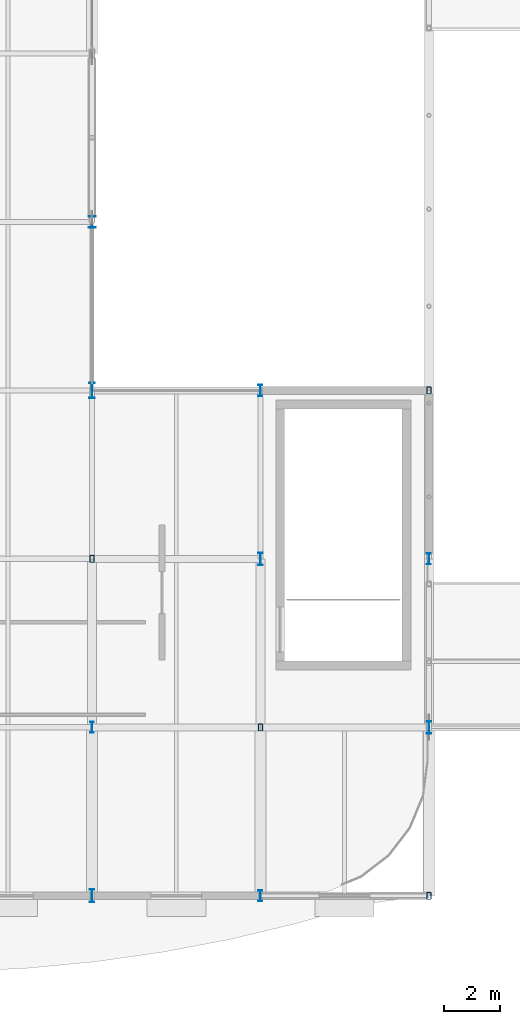
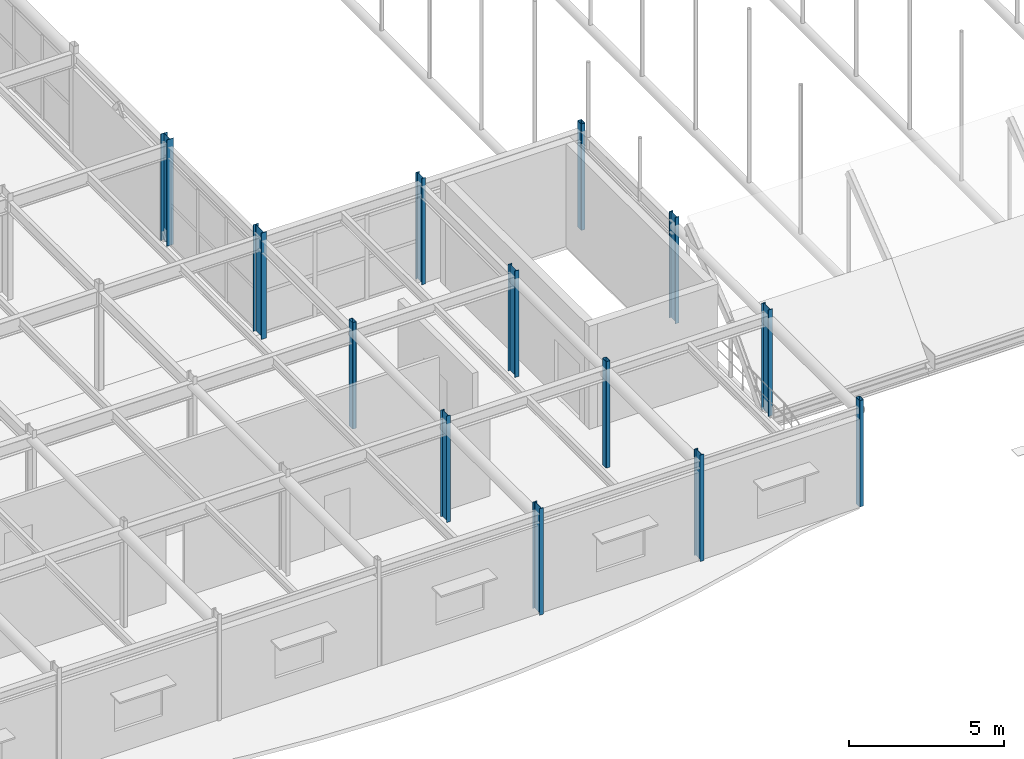
# One storey, part 3 of 116: 13 columns.
"""IFC4 building model written with IfcOpenShell, lengths in metres."""

import ifcopenshell
import ifcopenshell.guid

model = None  # the IFC model being written
_history = None  # IfcOwnerHistory: only IFC2X3 demands one
_inside = {}  # id of a spatial element -> (the spatial element, [elements in it])
_under = {}  # id of a project, library or spatial element -> (it, [spatial elements below it])
_declared = {}  # id of a project -> (the project, [libraries it declares])
_typed = {}  # id of a type object -> (the type object, [elements of that type])
_made_of = {}  # id of a material, layer set ... -> (it, [elements and type objects made of it])


def new_model(schema):
    """Start an empty IFC model of exactly this schema.

    Asked for "IFC4X3", IfcOpenShell would pick the latest addendum, in which some entities
    have other attributes; the version numbers below select the first issue.
    IFC2X3 requires an IfcOwnerHistory on every rooted entity: one is made here for all.
    """
    global model, _history
    if schema == "IFC4X3":
        model = ifcopenshell.file(schema_version=(4, 3, 0, 0))
    else:
        model = ifcopenshell.file(schema=schema)
    _inside.clear()
    _under.clear()
    _declared.clear()
    _typed.clear()
    _made_of.clear()
    _history = None
    if model.schema == "IFC2X3":
        org = make("IfcOrganization", Name="unknown")
        user = make(
            "IfcPersonAndOrganization",
            ThePerson=make("IfcPerson", FamilyName="unknown"),
            TheOrganization=org,
        )
        app = make(
            "IfcApplication",
            ApplicationDeveloper=org,
            Version="unknown",
            ApplicationFullName="unknown",
            ApplicationIdentifier="unknown",
        )
        _history = make(
            "IfcOwnerHistory",
            OwningUser=user,
            OwningApplication=app,
            ChangeAction="ADDED",
            CreationDate=0,
        )
    return model


def make(cls, **values):
    """One entity of the class cls with the attributes given. An attribute that is None is left unset."""
    return model.create_entity(
        cls, **{name: value for name, value in values.items() if value is not None}
    )


def rooted(cls, **values):
    """An entity with a GlobalId (a new one), such as an element, a storey or a relation."""
    return make(cls, GlobalId=ifcopenshell.guid.new(), OwnerHistory=_history, **values)


def si_unit(unit_type, name, prefix=None):
    """IfcSIUnit, for example si_unit("LENGTHUNIT", "METRE", prefix="MILLI")."""
    return make("IfcSIUnit", UnitType=unit_type, Prefix=prefix, Name=name)


def assignment(units):
    """IfcUnitAssignment: the units of a project."""
    return None if units is None else make("IfcUnitAssignment", Units=units)


def point(xyz):
    """IfcCartesianPoint."""
    return None if xyz is None else make("IfcCartesianPoint", Coordinates=xyz)


def direction(xyz):
    """IfcDirection."""
    return None if xyz is None else make("IfcDirection", DirectionRatios=xyz)


def frame(location, z_axis=None, x_axis=None):
    """IfcAxis2Placement3D, a coordinate frame: its origin and axes. An axis left out is left unset."""
    return make(
        "IfcAxis2Placement3D",
        Location=point(location),
        Axis=direction(z_axis),
        RefDirection=direction(x_axis),
    )


def frame_2d(location, x_axis=None):
    """IfcAxis2Placement2D, a coordinate frame in the plane: its origin and x axis."""
    return make(
        "IfcAxis2Placement2D", Location=point(location), RefDirection=direction(x_axis)
    )


def origin():
    """The frame at (0, 0, 0) with its axes left unset."""
    return frame((0.0, 0.0, 0.0))


def origin_2d():
    """The frame at (0, 0) in the plane with its x axis left unset."""
    return frame_2d((0.0, 0.0))


def place(relative_to, where):
    """IfcLocalPlacement: puts the frame where relative to a parent placement (None: the world)."""
    return make(
        "IfcLocalPlacement", PlacementRelTo=relative_to, RelativePlacement=where
    )


def context(
    kind, dimensions, precision=None, world=None, true_north=None, identifier=None
):
    """IfcGeometricRepresentationContext, for example the 3D "Model" context."""
    return make(
        "IfcGeometricRepresentationContext",
        ContextIdentifier=identifier,
        ContextType=kind,
        CoordinateSpaceDimension=dimensions,
        Precision=precision,
        WorldCoordinateSystem=world,
        TrueNorth=true_north,
    )


def subcontext(parent, identifier, kind, view, scale=None):
    """IfcGeometricRepresentationSubContext, for example "Body" below "Model"."""
    return make(
        "IfcGeometricRepresentationSubContext",
        ContextIdentifier=identifier,
        ContextType=kind,
        ParentContext=parent,
        TargetScale=scale,
        TargetView=view,
    )


def project(units=None, contexts=None):
    """IfcProject with its units and contexts."""
    return rooted(
        "IfcProject",
        Name="project",
        RepresentationContexts=contexts,
        UnitsInContext=assignment(units),
    )


def spatial(cls, under=None, at=None, **own):
    """A site, building, storey or space (cls), placed at a placement, below another one or the project."""
    s = rooted(cls, ObjectPlacement=at, **own)
    if under is not None:
        _under.setdefault(under.id(), (under, []))[1].append(s)
    return s


def profile(cls, at=None, kind="AREA", **sizes):
    """A parametric profile (cls). Its sizes go by their IFC names, for example OverallWidth=200.0."""
    return make(cls, ProfileType=kind, Position=at, **sizes)


def hollow_rectangle(**sizes):
    """IfcRectangleHollowProfileDef."""
    return profile("IfcRectangleHollowProfileDef", **sizes)


def i_section(**sizes):
    """IfcIShapeProfileDef."""
    return profile("IfcIShapeProfileDef", **sizes)


def extrude(swept, where, along, depth):
    """IfcExtrudedAreaSolid: the profile swept, set in the frame where, extruded along a direction by depth."""
    return make(
        "IfcExtrudedAreaSolid",
        SweptArea=swept,
        Position=where,
        ExtrudedDirection=direction(along),
        Depth=depth,
    )


def shape(context_of_items, identifier, shape_type, items):
    """IfcShapeRepresentation: the items that make up one representation, for example the "Body"."""
    return make(
        "IfcShapeRepresentation",
        ContextOfItems=context_of_items,
        RepresentationIdentifier=identifier,
        RepresentationType=shape_type,
        Items=items,
    )


def material(Name=None, Category=None):
    """IfcMaterial."""
    return make("IfcMaterial", Name=Name, Category=Category)


def material_profile(
    of_material, cross_section, Name=None, Category=None, Priority=None
):
    """IfcMaterialProfile: a cross section and its material."""
    return make(
        "IfcMaterialProfile",
        Name=Name,
        Material=of_material,
        Profile=cross_section,
        Priority=Priority,
        Category=Category,
    )


def profile_set(profiles, Name=None, composite=None):
    """IfcMaterialProfileSet."""
    return make(
        "IfcMaterialProfileSet",
        Name=Name,
        MaterialProfiles=profiles,
        CompositeProfile=composite,
    )


def made_of(thing, what):
    """Note that an element or type object is made of a material, layer set ...; save() writes the relation."""
    if what is not None:
        _made_of.setdefault(what.id(), (what, []))[1].append(thing)
    return thing


def type_object(cls, material=None, **own):
    """A type object (cls), such as IfcWallType, which elements share."""
    return made_of(rooted(cls, **own), material)


def element(
    cls,
    number,
    at=None,
    inside=None,
    cuts=None,
    type_object=None,
    material=None,
    context=None,
    identifier="Body",
    shape_type=None,
    held_by="IfcProductDefinitionShape",
    body=None,
    shapes=None,
    **own,
):
    """One element of the class cls, such as IfcWall. Its Tag is "e" and its number.

    at: its placement. inside: the storey or other place that contains it. cuts: it is an
    opening in that element (IfcRelVoidsElement). A single representation is given by context,
    identifier, shape_type and body (its items); several are given by shapes. held_by: the class
    of the entity that holds the representations. save() writes the other relations.
    """
    e = rooted(cls, Tag="e%d" % number, ObjectPlacement=at, **own)
    if body is not None:
        shapes = [shape(context, identifier, shape_type, body)]
    if shapes is not None:
        e.Representation = make(held_by, Representations=shapes)
    if inside is not None:
        _inside.setdefault(inside.id(), (inside, []))[1].append(e)
    if cuts is not None:
        rooted(
            "IfcRelVoidsElement", RelatingBuildingElement=cuts, RelatedOpeningElement=e
        )
    if type_object is not None:
        _typed.setdefault(type_object.id(), (type_object, []))[1].append(e)
    return made_of(e, material)


def aggregate(whole, parts):
    """IfcRelAggregates: a whole, such as a stair, and the parts it consists of."""
    return rooted("IfcRelAggregates", RelatingObject=whole, RelatedObjects=parts)


def save(model, path):
    """Write the relations noted so far, then the file.

    IfcRelAggregates (storeys below a building ...), IfcRelContainedInSpatialStructure (elements
    in a storey), IfcRelDefinesByType, IfcRelAssociatesMaterial and IfcRelDeclares: one each for
    every whole, place, type object, material and project.
    """
    for whole, parts in _under.values():
        aggregate(whole, parts)
    for where, things in _inside.values():
        rooted(
            "IfcRelContainedInSpatialStructure",
            RelatedElements=things,
            RelatingStructure=where,
        )
    for kind, things in _typed.values():
        rooted("IfcRelDefinesByType", RelatedObjects=things, RelatingType=kind)
    for what, things in _made_of.values():
        rooted("IfcRelAssociatesMaterial", RelatedObjects=things, RelatingMaterial=what)
    for by, libraries in _declared.values():
        rooted("IfcRelDeclares", RelatingContext=by, RelatedDefinitions=libraries)
    model.write(path)


model = new_model("IFC4")

# Units and contexts
model_context = context("Model", 3, precision=1e-05, world=origin(), true_north=direction((0.0, 1.0)))
body_context = subcontext(model_context, "Body", "Model", "MODEL_VIEW")
ifc_project = project(units=[si_unit("LENGTHUNIT", "METRE"), si_unit("AREAUNIT", "SQUARE_METRE"), si_unit("VOLUMEUNIT", "CUBIC_METRE"), si_unit("PLANEANGLEUNIT", "RADIAN"), si_unit("MASSUNIT", "GRAM", prefix="KILO")], contexts=[model_context])

# Site, building, storey
site_placement = place(None, origin())
site = spatial("IfcSite", under=ifc_project, at=site_placement, CompositionType="ELEMENT")
building_placement = place(site_placement, origin())
building = spatial("IfcBuilding", under=site, at=building_placement, Name="Varnakota Square Police Headquarters", CompositionType="ELEMENT")
storey_placement = place(building_placement, frame((0.0, 0.0, 9.300048828125)))
storey = spatial("IfcBuildingStorey", under=building, at=storey_placement, Name="L02", CompositionType="ELEMENT", Elevation=9.300048828125)

# Columns
ifc_material = material(Name="Steel IS 2062 Grade 350", Category="steel")
ifc_material_profile_1 = material_profile(ifc_material, i_section(OverallWidth=0.25, OverallDepth=0.39990234375, WebThickness=0.010498046875, FlangeThickness=0.0126953125, FilletRadius=0.013916015625, at=origin_2d()), Name="ISHB 400")
ifc_profile_set_1 = profile_set([ifc_material_profile_1], Name="Steel IS 2062 Grade 350")
column_type_1 = type_object("IfcColumnType", Name="COL-ISHB400", PredefinedType="COLUMN", material=ifc_profile_set_1)
column_1_placement = place(storey_placement, frame((42.0, 27.0, 0.0), z_axis=(0.0, 0.0, 1.0), x_axis=(1.0, 0.0, 0.0)))
element("IfcColumn", 1, at=column_1_placement, inside=storey, type_object=column_type_1, Name="Column X0420-Y0270 L02", PredefinedType="COLUMN", context=body_context, shape_type="SweptSolid", body=[
    extrude(i_section(OverallWidth=0.25, OverallDepth=0.39990234375, WebThickness=0.010498046875, FlangeThickness=0.0126953125, FilletRadius=0.013916015625, at=origin_2d()), origin(), (0.0, 0.0, 1.0), 4.199951171875),
])
ifc_material_profile_2 = material_profile(ifc_material, i_section(OverallWidth=0.139892578125, OverallDepth=0.39990234375, WebThickness=0.0087890625, FlangeThickness=0.01611328125, FilletRadius=0.013916015625, at=origin_2d()), Name="ISMB 400")
ifc_profile_set_2 = profile_set([ifc_material_profile_2], Name="Steel IS 2062 Grade 350")
column_type_2 = type_object("IfcColumnType", Name="COL-ISMB400", PredefinedType="COLUMN", material=ifc_profile_set_2)
for number, where, z_axis, x_axis, name in (
    (2, (42.0, 9.0, 0.0), (0.0, 0.0, 1.0), (1.0, 0.0, 0.0), "Column X0420-Y0090 L02"),
    (3, (48.0, 3.0, 0.0), (0.0, 0.0, 1.0), (1.0, 0.0, 0.0), "Column X0480-Y0030 L02"),
    (4, (48.0, 21.0, 0.0), (0.0, 0.0, 1.0), (1.0, 0.0, 0.0), "Column X0480-Y0210 L02"),
    (5, (54.0, 15.0, 0.0), (0.0, 0.0, 1.0), (1.0, 0.0, 0.0), "Column X0540-Y0150 L02"),
):
    element("IfcColumn", number, at=place(storey_placement, frame(where, z_axis=z_axis, x_axis=x_axis)), inside=storey, type_object=column_type_2, Name=name, PredefinedType="COLUMN", context=body_context, shape_type="SweptSolid", body=[
        extrude(i_section(OverallWidth=0.139892578125, OverallDepth=0.39990234375, WebThickness=0.0087890625, FlangeThickness=0.01611328125, FilletRadius=0.013916015625, at=origin_2d()), origin(), (0.0, 0.0, 1.0), 4.199951171875),
    ])
ifc_material_profile_3 = material_profile(ifc_material, i_section(OverallWidth=0.14990234375, OverallDepth=0.449951171875, WebThickness=0.009521484375, FlangeThickness=0.017333984375, FilletRadius=0.014892578125, at=origin_2d()), Name="ISMB 450")
ifc_profile_set_3 = profile_set([ifc_material_profile_3], Name="Steel IS 2062 Grade 350")
column_type_3 = type_object("IfcColumnType", Name="COL-ISMB450", PredefinedType="COLUMN", material=ifc_profile_set_3)
for number, where, z_axis, x_axis, name in (
    (6, (42.0, 3.0, 0.0), (0.0, 0.0, 1.0), (1.0, 0.0, 0.0), "Column X0420-Y0030 L02"),
    (7, (48.0, 15.0, 0.0), (0.0, 0.0, 1.0), (1.0, 0.0, 0.0), "Column X0480-Y0150 L02"),
    (8, (54.0, 9.0, 0.0), (0.0, 0.0, 1.0), (1.0, 0.0, 0.0), "Column X0540-Y0090 L02"),
):
    element("IfcColumn", number, at=place(storey_placement, frame(where, z_axis=z_axis, x_axis=x_axis)), inside=storey, type_object=column_type_3, Name=name, PredefinedType="COLUMN", context=body_context, shape_type="SweptSolid", body=[
        extrude(i_section(OverallWidth=0.14990234375, OverallDepth=0.449951171875, WebThickness=0.009521484375, FlangeThickness=0.017333984375, FilletRadius=0.014892578125, at=origin_2d()), origin(), (0.0, 0.0, 1.0), 4.199951171875),
    ])
ifc_material_profile_4 = material_profile(ifc_material, i_section(OverallWidth=0.18994140625, OverallDepth=0.550048828125, WebThickness=0.01123046875, FlangeThickness=0.019287109375, FilletRadius=0.01806640625, at=origin_2d()), Name="ISMB 550")
ifc_profile_set_4 = profile_set([ifc_material_profile_4], Name="Steel IS 2062 Grade 350")
column_type_4 = type_object("IfcColumnType", Name="COL-ISMB550", PredefinedType="COLUMN", material=ifc_profile_set_4)
column_2_placement = place(storey_placement, frame((42.0, 21.0, 0.0), z_axis=(0.0, 0.0, 1.0), x_axis=(1.0, 0.0, 0.0)))
element("IfcColumn", 9, at=column_2_placement, inside=storey, type_object=column_type_4, Name="Column X0420-Y0210 L02", PredefinedType="COLUMN", context=body_context, shape_type="SweptSolid", body=[
    extrude(i_section(OverallWidth=0.18994140625, OverallDepth=0.550048828125, WebThickness=0.01123046875, FlangeThickness=0.019287109375, FilletRadius=0.01806640625, at=origin_2d()), origin(), (0.0, 0.0, 1.0), 4.199951171875),
])
ifc_material_profile_5 = material_profile(ifc_material, hollow_rectangle(XDim=0.14990234375, YDim=0.25, WallThickness=0.010009765625, InnerFilletRadius=0.010009765625, OuterFilletRadius=0.02001953125, at=origin_2d()), Name="RHS 250x150x10")
ifc_profile_set_5 = profile_set([ifc_material_profile_5], Name="Steel IS 2062 Grade 350")
column_type_5 = type_object("IfcColumnType", Name="COL-RHS250", PredefinedType="COLUMN", material=ifc_profile_set_5)
for number, where, z_axis, x_axis, name in (
    (10, (42.0, 15.0, 0.0), (0.0, 0.0, 1.0), (1.0, 0.0, 0.0), "Column X0420-Y0150 L02"),
    (11, (48.0, 9.0, 0.0), (0.0, 0.0, 1.0), (1.0, 0.0, 0.0), "Column X0480-Y0090 L02"),
    (12, (54.0, 3.0, 0.0), (0.0, 0.0, 1.0), (1.0, 0.0, 0.0), "Column X0540-Y0030 L02"),
    (13, (54.0, 21.0, 0.0), (0.0, 0.0, 1.0), (1.0, 0.0, 0.0), "Column X0540-Y0210 L02"),
):
    element("IfcColumn", number, at=place(storey_placement, frame(where, z_axis=z_axis, x_axis=x_axis)), inside=storey, type_object=column_type_5, Name=name, PredefinedType="COLUMN", context=body_context, shape_type="SweptSolid", body=[
        extrude(hollow_rectangle(XDim=0.14990234375, YDim=0.25, WallThickness=0.010009765625, InnerFilletRadius=0.010009765625, OuterFilletRadius=0.02001953125, at=origin_2d()), origin(), (0.0, 0.0, 1.0), 4.199951171875),
    ])

save(model, "model.ifc")
